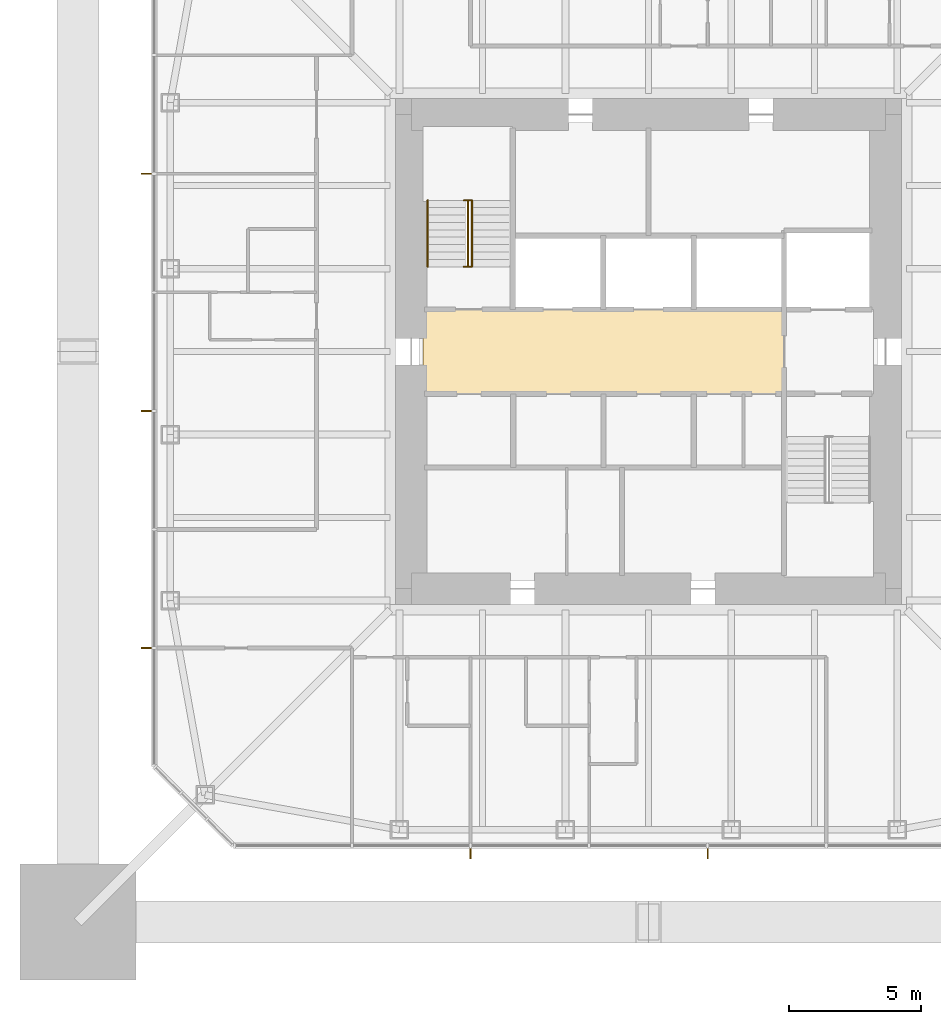
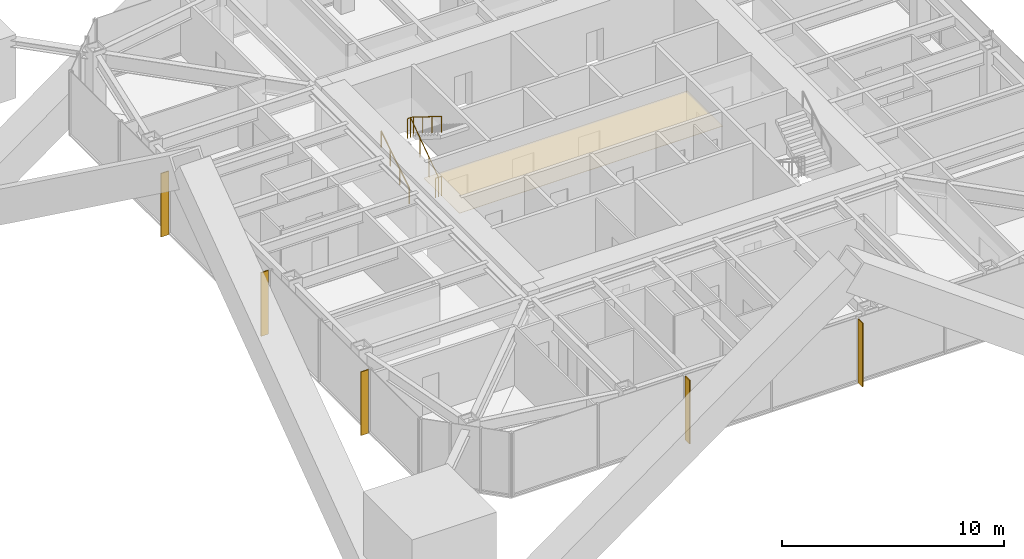
# One storey, part 11 of 13: 5 shading devices, 3 railings, 1 covering.
"""IFC4 building model written with IfcOpenShell, lengths in metres."""

import ifcopenshell
import ifcopenshell.guid

model = None  # the IFC model being written
_history = None  # IfcOwnerHistory: only IFC2X3 demands one
_inside = {}  # id of a spatial element -> (the spatial element, [elements in it])
_under = {}  # id of a project, library or spatial element -> (it, [spatial elements below it])
_declared = {}  # id of a project -> (the project, [libraries it declares])
_typed = {}  # id of a type object -> (the type object, [elements of that type])
_made_of = {}  # id of a material, layer set ... -> (it, [elements and type objects made of it])


def new_model(schema):
    """Start an empty IFC model of exactly this schema.

    Asked for "IFC4X3", IfcOpenShell would pick the latest addendum, in which some entities
    have other attributes; the version numbers below select the first issue.
    IFC2X3 requires an IfcOwnerHistory on every rooted entity: one is made here for all.
    """
    global model, _history
    if schema == "IFC4X3":
        model = ifcopenshell.file(schema_version=(4, 3, 0, 0))
    else:
        model = ifcopenshell.file(schema=schema)
    _inside.clear()
    _under.clear()
    _declared.clear()
    _typed.clear()
    _made_of.clear()
    _history = None
    if model.schema == "IFC2X3":
        org = make("IfcOrganization", Name="unknown")
        user = make(
            "IfcPersonAndOrganization",
            ThePerson=make("IfcPerson", FamilyName="unknown"),
            TheOrganization=org,
        )
        app = make(
            "IfcApplication",
            ApplicationDeveloper=org,
            Version="unknown",
            ApplicationFullName="unknown",
            ApplicationIdentifier="unknown",
        )
        _history = make(
            "IfcOwnerHistory",
            OwningUser=user,
            OwningApplication=app,
            ChangeAction="ADDED",
            CreationDate=0,
        )
    return model


def make(cls, **values):
    """One entity of the class cls with the attributes given. An attribute that is None is left unset."""
    return model.create_entity(
        cls, **{name: value for name, value in values.items() if value is not None}
    )


def rooted(cls, **values):
    """An entity with a GlobalId (a new one), such as an element, a storey or a relation."""
    return make(cls, GlobalId=ifcopenshell.guid.new(), OwnerHistory=_history, **values)


def si_unit(unit_type, name, prefix=None):
    """IfcSIUnit, for example si_unit("LENGTHUNIT", "METRE", prefix="MILLI")."""
    return make("IfcSIUnit", UnitType=unit_type, Prefix=prefix, Name=name)


def assignment(units):
    """IfcUnitAssignment: the units of a project."""
    return None if units is None else make("IfcUnitAssignment", Units=units)


def point(xyz):
    """IfcCartesianPoint."""
    return None if xyz is None else make("IfcCartesianPoint", Coordinates=xyz)


def direction(xyz):
    """IfcDirection."""
    return None if xyz is None else make("IfcDirection", DirectionRatios=xyz)


def frame(location, z_axis=None, x_axis=None):
    """IfcAxis2Placement3D, a coordinate frame: its origin and axes. An axis left out is left unset."""
    return make(
        "IfcAxis2Placement3D",
        Location=point(location),
        Axis=direction(z_axis),
        RefDirection=direction(x_axis),
    )


def frame_2d(location, x_axis=None):
    """IfcAxis2Placement2D, a coordinate frame in the plane: its origin and x axis."""
    return make(
        "IfcAxis2Placement2D", Location=point(location), RefDirection=direction(x_axis)
    )


def origin():
    """The frame at (0, 0, 0) with its axes left unset."""
    return frame((0.0, 0.0, 0.0))


def origin_2d():
    """The frame at (0, 0) in the plane with its x axis left unset."""
    return frame_2d((0.0, 0.0))


def place(relative_to, where):
    """IfcLocalPlacement: puts the frame where relative to a parent placement (None: the world)."""
    return make(
        "IfcLocalPlacement", PlacementRelTo=relative_to, RelativePlacement=where
    )


def context(
    kind, dimensions, precision=None, world=None, true_north=None, identifier=None
):
    """IfcGeometricRepresentationContext, for example the 3D "Model" context."""
    return make(
        "IfcGeometricRepresentationContext",
        ContextIdentifier=identifier,
        ContextType=kind,
        CoordinateSpaceDimension=dimensions,
        Precision=precision,
        WorldCoordinateSystem=world,
        TrueNorth=true_north,
    )


def subcontext(parent, identifier, kind, view, scale=None):
    """IfcGeometricRepresentationSubContext, for example "Body" below "Model"."""
    return make(
        "IfcGeometricRepresentationSubContext",
        ContextIdentifier=identifier,
        ContextType=kind,
        ParentContext=parent,
        TargetScale=scale,
        TargetView=view,
    )


def project(units=None, contexts=None):
    """IfcProject with its units and contexts."""
    return rooted(
        "IfcProject",
        Name="project",
        RepresentationContexts=contexts,
        UnitsInContext=assignment(units),
    )


def spatial(cls, under=None, at=None, **own):
    """A site, building, storey or space (cls), placed at a placement, below another one or the project."""
    s = rooted(cls, ObjectPlacement=at, **own)
    if under is not None:
        _under.setdefault(under.id(), (under, []))[1].append(s)
    return s


def polyline(points):
    """IfcPolyline through the points."""
    return make("IfcPolyline", Points=[point(p) for p in points])


def profile(cls, at=None, kind="AREA", **sizes):
    """A parametric profile (cls). Its sizes go by their IFC names, for example OverallWidth=200.0."""
    return make(cls, ProfileType=kind, Position=at, **sizes)


def rectangle(**sizes):
    """IfcRectangleProfileDef."""
    return profile("IfcRectangleProfileDef", **sizes)


def circle(**sizes):
    """IfcCircleProfileDef."""
    return profile("IfcCircleProfileDef", **sizes)


def outline(outer, holes=None, kind="AREA"):
    """IfcArbitraryClosedProfileDef: a profile drawn as a closed curve; with holes, ...WithVoids."""
    if holes is None:
        return make("IfcArbitraryClosedProfileDef", ProfileType=kind, OuterCurve=outer)
    return make(
        "IfcArbitraryProfileDefWithVoids",
        ProfileType=kind,
        OuterCurve=outer,
        InnerCurves=holes,
    )


def extrude(swept, where, along, depth):
    """IfcExtrudedAreaSolid: the profile swept, set in the frame where, extruded along a direction by depth."""
    return make(
        "IfcExtrudedAreaSolid",
        SweptArea=swept,
        Position=where,
        ExtrudedDirection=direction(along),
        Depth=depth,
    )


def shape(context_of_items, identifier, shape_type, items):
    """IfcShapeRepresentation: the items that make up one representation, for example the "Body"."""
    return make(
        "IfcShapeRepresentation",
        ContextOfItems=context_of_items,
        RepresentationIdentifier=identifier,
        RepresentationType=shape_type,
        Items=items,
    )


def material(Name=None, Category=None):
    """IfcMaterial."""
    return make("IfcMaterial", Name=Name, Category=Category)


def layer(
    of_material, thickness, ventilated=None, Name=None, Category=None, Priority=None
):
    """IfcMaterialLayer: one layer of a wall or slab, of a material (None: an air gap)."""
    return make(
        "IfcMaterialLayer",
        Material=of_material,
        LayerThickness=thickness,
        IsVentilated=ventilated,
        Name=Name,
        Category=Category,
        Priority=Priority,
    )


def layer_set(layers, Name=None):
    """IfcMaterialLayerSet."""
    return make("IfcMaterialLayerSet", MaterialLayers=layers, LayerSetName=Name)


def constituent(of_material, Name=None, Category=None, fraction=None):
    """IfcMaterialConstituent: one of the materials an element consists of."""
    return make(
        "IfcMaterialConstituent",
        Name=Name,
        Material=of_material,
        Fraction=fraction,
        Category=Category,
    )


def constituent_set(constituents=None, Name=None):
    """IfcMaterialConstituentSet."""
    return make(
        "IfcMaterialConstituentSet", Name=Name, MaterialConstituents=constituents
    )


def made_of(thing, what):
    """Note that an element or type object is made of a material, layer set ...; save() writes the relation."""
    if what is not None:
        _made_of.setdefault(what.id(), (what, []))[1].append(thing)
    return thing


def type_object(cls, material=None, **own):
    """A type object (cls), such as IfcWallType, which elements share."""
    return made_of(rooted(cls, **own), material)


def element(
    cls,
    number,
    at=None,
    inside=None,
    cuts=None,
    type_object=None,
    material=None,
    context=None,
    identifier="Body",
    shape_type=None,
    held_by="IfcProductDefinitionShape",
    body=None,
    shapes=None,
    **own,
):
    """One element of the class cls, such as IfcWall. Its Tag is "e" and its number.

    at: its placement. inside: the storey or other place that contains it. cuts: it is an
    opening in that element (IfcRelVoidsElement). A single representation is given by context,
    identifier, shape_type and body (its items); several are given by shapes. held_by: the class
    of the entity that holds the representations. save() writes the other relations.
    """
    e = rooted(cls, Tag="e%d" % number, ObjectPlacement=at, **own)
    if body is not None:
        shapes = [shape(context, identifier, shape_type, body)]
    if shapes is not None:
        e.Representation = make(held_by, Representations=shapes)
    if inside is not None:
        _inside.setdefault(inside.id(), (inside, []))[1].append(e)
    if cuts is not None:
        rooted(
            "IfcRelVoidsElement", RelatingBuildingElement=cuts, RelatedOpeningElement=e
        )
    if type_object is not None:
        _typed.setdefault(type_object.id(), (type_object, []))[1].append(e)
    return made_of(e, material)


def aggregate(whole, parts):
    """IfcRelAggregates: a whole, such as a stair, and the parts it consists of."""
    return rooted("IfcRelAggregates", RelatingObject=whole, RelatedObjects=parts)


def save(model, path):
    """Write the relations noted so far, then the file.

    IfcRelAggregates (storeys below a building ...), IfcRelContainedInSpatialStructure (elements
    in a storey), IfcRelDefinesByType, IfcRelAssociatesMaterial and IfcRelDeclares: one each for
    every whole, place, type object, material and project.
    """
    for whole, parts in _under.values():
        aggregate(whole, parts)
    for where, things in _inside.values():
        rooted(
            "IfcRelContainedInSpatialStructure",
            RelatedElements=things,
            RelatingStructure=where,
        )
    for kind, things in _typed.values():
        rooted("IfcRelDefinesByType", RelatedObjects=things, RelatingType=kind)
    for what, things in _made_of.values():
        rooted("IfcRelAssociatesMaterial", RelatedObjects=things, RelatingMaterial=what)
    for by, libraries in _declared.values():
        rooted("IfcRelDeclares", RelatingContext=by, RelatedDefinitions=libraries)
    model.write(path)


model = new_model("IFC4")

# Units and contexts
model_context = context("Model", 3, precision=1e-05, world=origin(), true_north=direction((0.0, 1.0)))
body_context = subcontext(model_context, "Body", "Model", "MODEL_VIEW")
ifc_project = project(units=[si_unit("LENGTHUNIT", "METRE"), si_unit("AREAUNIT", "SQUARE_METRE"), si_unit("VOLUMEUNIT", "CUBIC_METRE"), si_unit("PLANEANGLEUNIT", "RADIAN"), si_unit("MASSUNIT", "GRAM", prefix="KILO")], contexts=[model_context])

# Site, building, storey
site_placement = place(None, origin())
site = spatial("IfcSite", under=ifc_project, at=site_placement, CompositionType="ELEMENT")
building_placement = place(site_placement, origin())
building = spatial("IfcBuilding", under=site, at=building_placement, Name="Iwan Alto Co-Living Towers", CompositionType="ELEMENT")
storey_placement = place(building_placement, frame((0.0, 0.0, 184.5)))
storey = spatial("IfcBuildingStorey", under=building, at=storey_placement, Name="L50", CompositionType="ELEMENT", Elevation=184.5)

# Covering
ifc_material_1 = material(Name="Mineral fibre acoustic tiles on steel grid", Category="steel")
ifc_layer_1 = layer(ifc_material_1, 0.02001953125)
ifc_layer_set_1 = layer_set([ifc_layer_1], Name="ACOUSTIC TILE CEILING 20")
covering_type = type_object("IfcCoveringType", Name="ACOUSTIC TILE CEILING 20", PredefinedType="CEILING", material=ifc_layer_set_1)
covering_placement = place(storey_placement, frame((0.0, 0.0, 2.60009765625)))
element("IfcCovering", 1, at=covering_placement, inside=storey, type_object=covering_type, Name="Ceiling Lift lobby L50", PredefinedType="CEILING", context=body_context, shape_type="SweptSolid", body=[
    extrude(outline(polyline([(-8.550048828125, -1.60009765625), (-8.550048828125, 1.60009765625), (5.14990234375, 1.60009765625), (5.14990234375, -1.60009765625), (-8.550048828125, -1.60009765625)])), origin(), (0.0, 0.0, 1.0), 0.02001953125),
])

# Shading devices
ifc_material_2 = material(Name="Aluminium 6063-T6 bronze anodised", Category="aluminium")
ifc_layer_2 = layer(ifc_material_2, 0.050048828125)
ifc_layer_set_2 = layer_set([ifc_layer_2], Name="BRONZE FIN 50X400")
shading_device_type = type_object("IfcShadingDeviceType", Name="BRONZE FIN 50X400", PredefinedType="USERDEFINED", material=ifc_layer_set_2)
for number, where, z_axis, x_axis, name in (
    (2, (-6.75, -19.050048828125, 0.0), (0.0, 0.0, 1.0), (1.0, 0.0, 0.0), "Bronze fin L50"),
    (3, (2.25, -19.050048828125, 0.0), (0.0, 0.0, 1.0), (1.0, 0.0, 0.0), "Bronze fin L50"),
    (4, (-19.050048828125, 6.75, 0.0), (0.0, 0.0, 1.0), (0.0, -1.0, 0.0), "Bronze fin L50"),
    (5, (-19.050048828125, -2.25, 0.0), (0.0, 0.0, 1.0), (0.0, -1.0, 0.0), "Bronze fin L50"),
    (6, (-19.050048828125, -11.25, 0.0), (0.0, 0.0, 1.0), (0.0, -1.0, 0.0), "Bronze fin L50"),
):
    element("IfcShadingDevice", number, at=place(storey_placement, frame(where, z_axis=z_axis, x_axis=x_axis)), inside=storey, type_object=shading_device_type, Name=name, ObjectType="LOUVER", PredefinedType="USERDEFINED", context=body_context, shape_type="SweptSolid", body=[
        extrude(rectangle(XDim=0.050048828125, YDim=0.39990234375, at=origin_2d()), origin(), (0.0, 0.0, 1.0), 3.5),
    ])

# Railings
ifc_material_3 = material(Name="Steel ASTM A500 Gr C", Category="steel")
ifc_constituent_1 = constituent(ifc_material_3, Name="Rails and posts", Category="Framing")
ifc_material_4 = material(Name="Steel ASTM A36", Category="steel")
ifc_constituent_2 = constituent(ifc_material_4, Name="Bar infill", Category="Infill")
ifc_constituent_set = constituent_set(constituents=[ifc_constituent_1, ifc_constituent_2], Name="STAIR GUARD 1100")
railing_type_1 = type_object("IfcRailingType", Name="STAIR GUARD 1100", PredefinedType="GUARDRAIL", material=ifc_constituent_set)
railing_1_placement = place(storey_placement, frame((-6.85009765625, 3.219970703125, 0.0)))
element("IfcRailing", 7, at=railing_1_placement, inside=storey, type_object=railing_type_1, Name="Stair T1-S1 well guard L50", PredefinedType="GUARDRAIL", context=body_context, shape_type="SweptSolid", body=[
    extrude(circle(Radius=0.02392578125, at=origin_2d()), frame((0.0, 0.0, 1.076171875), z_axis=(0.0, 0.821372036852, 0.570392826987), x_axis=(-1.0, 0.0, 0.0)), (0.0, 0.0, 1.0), 3.068115234375),
    extrude(circle(Radius=0.02392578125, at=origin_2d()), frame((-0.14990234375, 0.0, 1.076171875), z_axis=(1.0, 0.0, 0.0), x_axis=(0.0, 1.0, 0.0)), (0.0, 0.0, 1.0), 0.300048828125),
    extrude(circle(Radius=0.02392578125, at=origin_2d()), frame((-0.14990234375, 2.52001953125, 2.826171875), z_axis=(1.0, 0.0, 0.0), x_axis=(0.0, 1.0, 0.0)), (0.0, 0.0, 1.0), 0.300048828125),
    extrude(circle(Radius=0.02099609375, at=origin_2d()), origin(), (0.0, 0.0, 1.0), 1.052001953125),
    extrude(circle(Radius=0.02099609375, at=origin_2d()), frame((0.0, 0.840087890625, 0.583251953125)), (0.0, 0.0, 1.0), 1.052001953125),
    extrude(circle(Radius=0.02099609375, at=origin_2d()), frame((0.0, 1.679931640625, 1.166748046875)), (0.0, 0.0, 1.0), 1.052001953125),
    extrude(circle(Radius=0.02099609375, at=origin_2d()), frame((0.0, 2.52001953125, 1.75)), (0.0, 0.0, 1.0), 1.052001953125),
    extrude(circle(Radius=0.02099609375, at=origin_2d()), frame((-0.14990234375, 0.0, 0.0)), (0.0, 0.0, 1.0), 1.052001953125),
    extrude(circle(Radius=0.02099609375, at=origin_2d()), frame((0.150146484375, 0.0, 0.0)), (0.0, 0.0, 1.0), 1.052001953125),
    extrude(circle(Radius=0.02099609375, at=origin_2d()), frame((-0.14990234375, 2.52001953125, 1.75)), (0.0, 0.0, 1.0), 1.052001953125),
    extrude(circle(Radius=0.02099609375, at=origin_2d()), frame((0.150146484375, 2.52001953125, 1.75)), (0.0, 0.0, 1.0), 1.052001953125),
])
ifc_material_5 = material(Name="Steel ASTM A500 Gr C", Category="steel")
railing_type_2 = type_object("IfcRailingType", Name="STAIR HANDRAIL 900", PredefinedType="HANDRAIL", material=ifc_material_5)
railing_2_placement = place(storey_placement, frame((-8.3798828125, 3.219970703125, 0.175048828125)))
element("IfcRailing", 8, at=railing_2_placement, inside=storey, type_object=railing_type_2, Name="Stair T1-S1 handrail 1 L50", PredefinedType="HANDRAIL", context=body_context, shape_type="SweptSolid", body=[
    extrude(circle(Radius=0.02392578125, at=origin_2d()), frame((0.0, 0.0, 0.8759765625), z_axis=(0.0, 0.848007534815, 0.529984170421), x_axis=(-1.0, 0.0, 0.0)), (0.0, 0.0, 1.0), 2.9716796875),
    extrude(circle(Radius=0.02099609375, at=origin_2d()), origin(), (0.0, 0.0, 1.0), 0.851806640625),
    extrude(circle(Radius=0.02099609375, at=origin_2d()), frame((0.0, 0.840087890625, 0.52490234375)), (0.0, 0.0, 1.0), 0.851806640625),
    extrude(circle(Radius=0.02099609375, at=origin_2d()), frame((0.0, 1.679931640625, 1.050048828125)), (0.0, 0.0, 1.0), 0.851806640625),
    extrude(circle(Radius=0.02099609375, at=origin_2d()), frame((0.0, 2.52001953125, 1.574951171875)), (0.0, 0.0, 1.0), 0.851806640625),
])
railing_3_placement = place(storey_placement, frame((-6.699951171875, 5.739990234375, 1.925048828125)))
element("IfcRailing", 9, at=railing_3_placement, inside=storey, type_object=railing_type_2, Name="Stair T1-S1 handrail 2 L50", PredefinedType="HANDRAIL", context=body_context, shape_type="SweptSolid", body=[
    extrude(circle(Radius=0.02392578125, at=origin_2d()), frame((0.0, 0.0, 0.8759765625), z_axis=(0.0, -0.848007534815, 0.529984170421), x_axis=(1.0, 0.0, 0.0)), (0.0, 0.0, 1.0), 2.9716796875),
    extrude(circle(Radius=0.02099609375, at=origin_2d()), origin(), (0.0, 0.0, 1.0), 0.851806640625),
    extrude(circle(Radius=0.02099609375, at=origin_2d()), frame((0.0, -0.840087890625, 0.52490234375)), (0.0, 0.0, 1.0), 0.851806640625),
    extrude(circle(Radius=0.02099609375, at=origin_2d()), frame((0.0, -1.679931640625, 1.050048828125)), (0.0, 0.0, 1.0), 0.851806640625),
    extrude(circle(Radius=0.02099609375, at=origin_2d()), frame((0.0, -2.52001953125, 1.574951171875)), (0.0, 0.0, 1.0), 0.851806640625),
])

save(model, "model.ifc")
